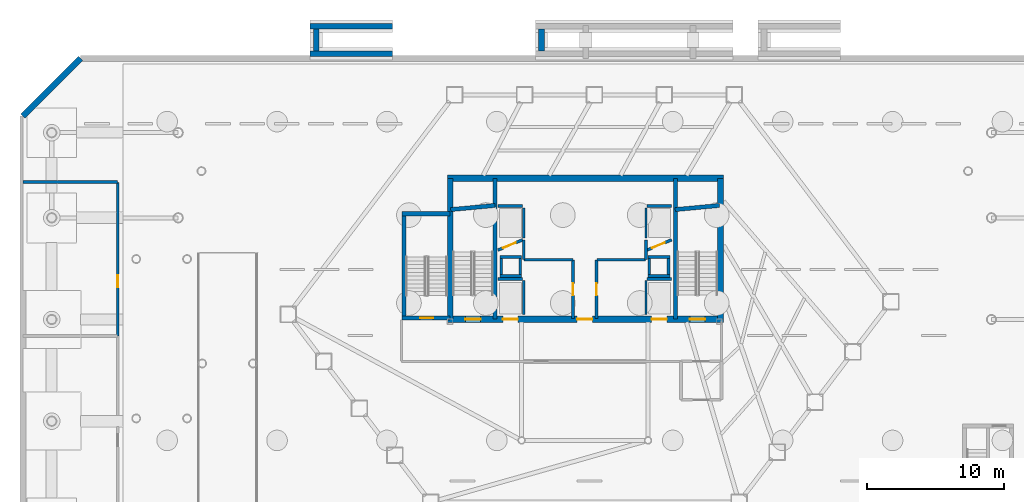
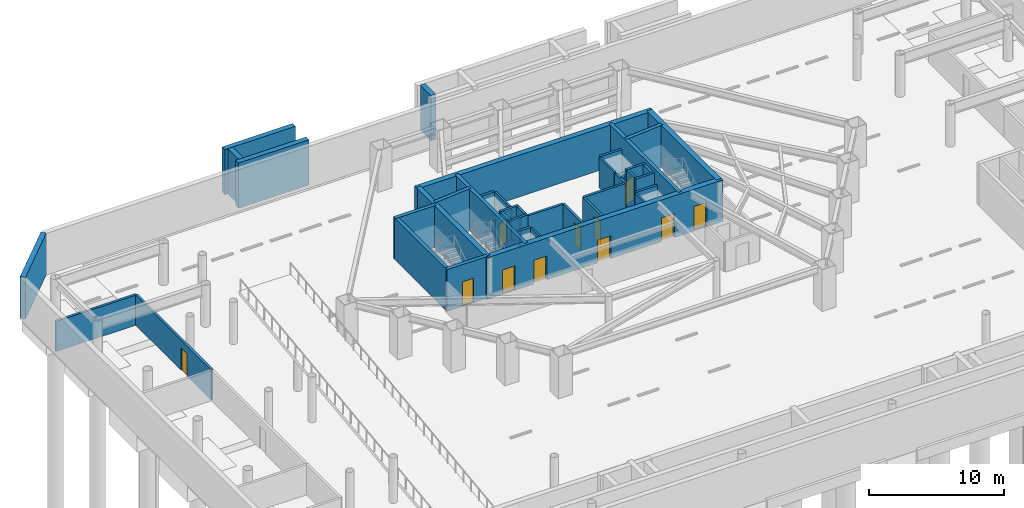
# One storey, part 12 of 19: 42 walls, 11 doors, 11 openings.
"""IFC4 building model written with IfcOpenShell, lengths in metres."""

from ifc_helpers import new_model, si_unit, direction, frame, frame_2d, origin, place, context, subcontext, project, spatial, rectangle, extrude, material, layer, layer_set, type_object, element, fill, save


model = new_model("IFC4")

# Units and contexts
model_context = context("Model", 3, precision=1e-05, world=origin(), true_north=direction((0.0, 1.0)))
body_context = subcontext(model_context, "Body", "Model", "MODEL_VIEW")
ifc_project = project(units=[si_unit("LENGTHUNIT", "METRE"), si_unit("AREAUNIT", "SQUARE_METRE"), si_unit("VOLUMEUNIT", "CUBIC_METRE"), si_unit("PLANEANGLEUNIT", "RADIAN"), si_unit("MASSUNIT", "GRAM", prefix="KILO")], contexts=[model_context])

# Site, building, storey
site_placement = place(None, origin())
site = spatial("IfcSite", under=ifc_project, at=site_placement, CompositionType="ELEMENT")
building_placement = place(site_placement, origin())
building = spatial("IfcBuilding", under=site, at=building_placement, Name="Zarrinselat Tower", CompositionType="ELEMENT")
storey_placement = place(building_placement, frame((0.0, 0.0, -8.159912109375)))
storey = spatial("IfcBuildingStorey", under=building, at=storey_placement, Name="B02", CompositionType="ELEMENT", Elevation=-8.159912109375)

# Wall, opening, door
ifc_material_1 = material(Name="Concrete C40/50", Category="concrete")
ifc_layer_1 = layer(ifc_material_1, 0.199951171875)
ifc_layer_set_1 = layer_set([ifc_layer_1], Name="Concrete C40/50")
wall_type_1 = type_object("IfcWallType", Name="WAL-PART-PLANT", PredefinedType="PARTITIONING", material=ifc_layer_set_1)
wall_1_placement = place(storey_placement, frame((37.550048828125, 33.264892578125, 0.0), z_axis=(0.0, 0.0, 1.0), x_axis=(0.0, 1.0, 0.0)))
wall_1 = element("IfcWall", 1, at=wall_1_placement, inside=storey, type_object=wall_type_1, Name="B02 Partition Wall 1", PredefinedType="PARTITIONING", context=body_context, shape_type="SweptSolid", body=[
    extrude(rectangle(XDim=4.26513671875, YDim=0.199951171875, at=frame_2d((2.132568359375, 0.0))), origin(), (0.0, 0.0, 1.0), 2.716796875),
])
opening_1_placement = place(wall_1_placement, frame((1.6923828125, 0.0, 0.0)))
opening_1 = element("IfcOpeningElement", 2, at=opening_1_placement, cuts=wall_1, Name="Opening ID-03", PredefinedType="OPENING", context=body_context, shape_type="SweptSolid", body=[
    extrude(rectangle(XDim=0.8798828125, YDim=2.050048828125, at=frame_2d((0.43994140625, 1.02490234375))), frame((0.0, 0.10986328125, 0.0), z_axis=(0.0, -1.0, 0.0), x_axis=(1.0, 0.0, 0.0)), (0.0, 0.0, 1.0), 0.219970703125),
])
ifc_material_2 = material(Name="Steel S355J2", Category="steel")
door_type_1 = type_object("IfcDoorType", Name="DR-INT-FD60-S", OperationType="NOTDEFINED", PredefinedType="DOOR", material=ifc_material_2)
door_1_placement = place(opening_1_placement, origin())
door_1 = element("IfcDoor", 3, at=door_1_placement, inside=storey, type_object=door_type_1, Name="B02 Interior Door P1", OperationType="SINGLE_SWING_LEFT", OverallHeight=2.050048828125, OverallWidth=0.8798828125, PredefinedType="DOOR", context=body_context, shape_type="SweptSolid", body=[
    extrude(rectangle(XDim=0.8798828125, YDim=2.050048828125, at=frame_2d((0.43994140625, 1.02490234375))), frame((0.0, 0.02490234375, 0.0), z_axis=(0.0, -1.0, 0.0), x_axis=(1.0, 0.0, 0.0)), (0.0, 0.0, 1.0), 0.050048828125),
])
fill(opening_1, door_1)

# Walls
wall_2_placement = place(storey_placement, frame((33.969970703125, 37.550048828125, 0.0), z_axis=(0.0, 0.0, 1.0), x_axis=(1.0, 0.0, 0.0)))
element("IfcWall", 4, at=wall_2_placement, inside=storey, type_object=wall_type_1, Name="B02 Partition Wall 2", PredefinedType="PARTITIONING", context=body_context, shape_type="SweptSolid", body=[
    extrude(rectangle(XDim=3.56005859375, YDim=0.199951171875, at=frame_2d((1.780029296875, 0.0))), origin(), (0.0, 0.0, 1.0), 2.716796875),
])
for number, where, z_axis, x_axis, name in (
    (5, (33.949951171875, 37.570068359375, 0.0), (0.0, 0.0, 1.0), (0.0, 1.0, 0.0), "B02 Partition Wall 3"),
    (6, (42.85009765625, 37.570068359375, 0.0), (0.0, 0.0, 1.0), (0.0, 1.0, 0.0), "B02 Partition Wall 4"),
):
    element("IfcWall", number, at=place(storey_placement, frame(where, z_axis=z_axis, x_axis=x_axis)), inside=storey, type_object=wall_type_1, Name=name, PredefinedType="PARTITIONING", context=body_context, shape_type="SweptSolid", body=[
        extrude(rectangle(XDim=1.4150390625, YDim=0.199951171875, at=frame_2d((0.70751953125, 0.0))), origin(), (0.0, 0.0, 1.0), 2.716796875),
    ])
wall_3_placement = place(storey_placement, frame((39.27001953125, 37.550048828125, 0.0), z_axis=(0.0, 0.0, 1.0), x_axis=(1.0, 0.0, 0.0)))
element("IfcWall", 7, at=wall_3_placement, inside=storey, type_object=wall_type_1, Name="B02 Partition Wall 5", PredefinedType="PARTITIONING", context=body_context, shape_type="SweptSolid", body=[
    extrude(rectangle(XDim=3.56005859375, YDim=0.199951171875, at=frame_2d((1.780029296875, 0.0))), origin(), (0.0, 0.0, 1.0), 2.716796875),
])

# Wall, opening, door
wall_4_placement = place(storey_placement, frame((39.25, 33.264892578125, 0.0), z_axis=(0.0, 0.0, 1.0), x_axis=(0.0, 1.0, 0.0)))
wall_4 = element("IfcWall", 8, at=wall_4_placement, inside=storey, type_object=wall_type_1, Name="B02 Partition Wall 6", PredefinedType="PARTITIONING", context=body_context, shape_type="SweptSolid", body=[
    extrude(rectangle(XDim=4.26513671875, YDim=0.199951171875, at=frame_2d((2.132568359375, 0.0))), origin(), (0.0, 0.0, 1.0), 2.716796875),
])
opening_2_placement = place(wall_4_placement, frame((1.6923828125, 0.0, 0.0)))
opening_2 = element("IfcOpeningElement", 9, at=opening_2_placement, cuts=wall_4, Name="Opening ID-03", PredefinedType="OPENING", context=body_context, shape_type="SweptSolid", body=[
    extrude(rectangle(XDim=0.8798828125, YDim=2.050048828125, at=frame_2d((0.43994140625, 1.02490234375))), frame((0.0, 0.10986328125, 0.0), z_axis=(0.0, -1.0, 0.0), x_axis=(1.0, 0.0, 0.0)), (0.0, 0.0, 1.0), 0.219970703125),
])
door_2_placement = place(opening_2_placement, origin())
door_2 = element("IfcDoor", 10, at=door_2_placement, inside=storey, type_object=door_type_1, Name="B02 Interior Door P6", OperationType="SINGLE_SWING_RIGHT", OverallHeight=2.050048828125, OverallWidth=0.8798828125, PredefinedType="DOOR", context=body_context, shape_type="SweptSolid", body=[
    extrude(rectangle(XDim=0.8798828125, YDim=2.050048828125, at=frame_2d((0.43994140625, 1.02490234375))), frame((0.0, 0.02490234375, 0.0), z_axis=(0.0, -1.0, 0.0), x_axis=(1.0, 0.0, 0.0)), (0.0, 0.0, 1.0), 0.050048828125),
])
fill(opening_2, door_2)

wall_5_placement = place(storey_placement, frame((4.39990234375, 32.0048828125, 0.0), z_axis=(0.0, 0.0, 1.0), x_axis=(0.0, 1.0, 0.0)))
wall_5 = element("IfcWall", 11, at=wall_5_placement, inside=storey, type_object=wall_type_1, Name="B02 Partition Wall 21", PredefinedType="PARTITIONING", context=body_context, shape_type="SweptSolid", body=[
    extrude(rectangle(XDim=11.175048828125, YDim=0.199951171875, at=frame_2d((5.58740234375, 0.0))), origin(), (0.0, 0.0, 1.0), 2.716796875),
])
opening_3_placement = place(wall_5_placement, frame((3.547607421875, 0.0, 0.0)))
opening_3 = element("IfcOpeningElement", 12, at=opening_3_placement, cuts=wall_5, Name="Opening ID-03", PredefinedType="OPENING", context=body_context, shape_type="SweptSolid", body=[
    extrude(rectangle(XDim=0.8798828125, YDim=2.050048828125, at=frame_2d((0.43994140625, 1.02490234375))), frame((0.0, 0.10986328125, 0.0), z_axis=(0.0, -1.0, 0.0), x_axis=(1.0, 0.0, 0.0)), (0.0, 0.0, 1.0), 0.219970703125),
])
door_3_placement = place(opening_3_placement, origin())
door_3 = element("IfcDoor", 13, at=door_3_placement, inside=storey, type_object=door_type_1, Name="B02 Interior Door P21", OperationType="SINGLE_SWING_RIGHT", OverallHeight=2.050048828125, OverallWidth=0.8798828125, PredefinedType="DOOR", context=body_context, shape_type="SweptSolid", body=[
    extrude(rectangle(XDim=0.8798828125, YDim=2.050048828125, at=frame_2d((0.43994140625, 1.02490234375))), frame((0.0, 0.02490234375, 0.0), z_axis=(0.0, -1.0, 0.0), x_axis=(1.0, 0.0, 0.0)), (0.0, 0.0, 1.0), 0.050048828125),
])
fill(opening_3, door_3)

# Walls
wall_6_placement = place(storey_placement, frame((-2.485107421875, 43.199951171875, 0.0), z_axis=(0.0, 0.0, 1.0), x_axis=(1.0, 0.0, 0.0)))
element("IfcWall", 14, at=wall_6_placement, inside=storey, type_object=wall_type_1, Name="B02 Partition Wall 22", PredefinedType="PARTITIONING", context=body_context, shape_type="SweptSolid", body=[
    extrude(rectangle(XDim=6.864990234375, YDim=0.199951171875, at=frame_2d((3.4326171875, 0.0))), origin(), (0.0, 0.0, 1.0), 2.716796875),
])
ifc_material_3 = material(Name="Concrete C50/60", Category="concrete")
ifc_layer_2 = layer(ifc_material_3, 0.419921875)
ifc_layer_set_2 = layer_set([ifc_layer_2], Name="Concrete C50/60")
wall_type_2 = type_object("IfcWallType", Name="WAL-RET-420", PredefinedType="SOLIDWALL", material=ifc_layer_set_2)
for number, where, z_axis, x_axis, name in (
    (15, (18.39990234375, 52.550048828125, 0.0), (0.0, 0.0, 1.0), (1.0, 0.0, 0.0), "B02 North Plaza NW Bearing Wall 52"),
    (16, (18.39990234375, 54.550048828125, 0.0), (0.0, 0.0, 1.0), (1.0, 0.0, 0.0), "B02 North Plaza NW Bearing Wall 54"),
):
    element("IfcWall", number, at=place(storey_placement, frame(where, z_axis=z_axis, x_axis=x_axis)), inside=storey, type_object=wall_type_2, Name=name, PredefinedType="SOLIDWALL", context=body_context, shape_type="SweptSolid", body=[
        extrude(rectangle(XDim=6.0, YDim=0.419921875, at=frame_2d((3.0, 0.0))), origin(), (0.0, 0.0, 1.0), 4.079833984375),
    ])
for number, where, z_axis, x_axis, name in (
    (17, (18.85009765625, 52.760009765625, 0.0), (0.0, 0.0, 1.0), (0.0, 1.0, 0.0), "B02 North Plaza NW Cross Bearing Wall"),
    (18, (35.25, 52.760009765625, 0.0), (0.0, 0.0, 1.0), (0.0, 1.0, 0.0), "B02 North Plaza NC Cross Bearing Wall"),
):
    element("IfcWall", number, at=place(storey_placement, frame(where, z_axis=z_axis, x_axis=x_axis)), inside=storey, type_object=wall_type_2, Name=name, PredefinedType="SOLIDWALL", context=body_context, shape_type="SweptSolid", body=[
        extrude(rectangle(XDim=1.580078125, YDim=0.419921875, at=frame_2d((0.7900390625, 0.0))), origin(), (0.0, 0.0, 1.0), 4.079833984375),
    ])
wall_7_placement = place(storey_placement, frame((-2.5, 48.0, 0.0), z_axis=(0.0, 0.0, 1.0), x_axis=(0.707106781187, 0.707106781187, 0.0)))
element("IfcWall", 19, at=wall_7_placement, inside=storey, type_object=wall_type_2, Name="B02 Basement Perimeter Retaining Wall 6", PredefinedType="SOLIDWALL", context=body_context, shape_type="SweptSolid", body=[
    extrude(rectangle(XDim=5.939697265625, YDim=0.419921875, at=frame_2d((2.9697265625, 0.0))), origin(), (0.0, 0.0, 1.0), 3.760009765625),
])
ifc_material_4 = material(Name="Concrete C40/50", Category="concrete")
ifc_layer_3 = layer(ifc_material_4, 0.2099609375)
ifc_layer_set_3 = layer_set([ifc_layer_3], Name="Concrete C40/50")
wall_type_3 = type_object("IfcWallType", Name="WAL-SHAFT-210", PredefinedType="SOLIDWALL", material=ifc_layer_set_3)
wall_8_placement = place(storey_placement, frame((32.080078125, 36.155029296875, 0.0), z_axis=(0.0, 0.0, 1.0), x_axis=(1.0, 0.0, 0.0)))
element("IfcWall", 20, at=wall_8_placement, inside=storey, type_object=wall_type_3, Name="B02 Lift FFL1 North Shaft Wall", PredefinedType="SOLIDWALL", context=body_context, shape_type="SweptSolid", body=[
    extrude(rectangle(XDim=1.7998046875, YDim=0.2099609375, at=frame_2d((0.89990234375, 0.0))), origin(), (0.0, 0.0, 1.0), 2.73193359375),
])
wall_9_placement = place(storey_placement, frame((33.949951171875, 33.580078125, 0.0), z_axis=(0.0, 0.0, 1.0), x_axis=(0.0, 1.0, 0.0)))
element("IfcWall", 21, at=wall_9_placement, inside=storey, type_object=wall_type_3, Name="B02 Lift FFL1 E Shaft Wall", PredefinedType="SOLIDWALL", context=body_context, shape_type="SweptSolid", body=[
    extrude(rectangle(XDim=2.449951171875, YDim=0.159912109375, at=frame_2d((1.22509765625, 0.0))), origin(), (0.0, 0.0, 1.0), 2.73193359375),
])
wall_10_placement = place(storey_placement, frame((42.919921875, 36.155029296875, 0.0), z_axis=(0.0, 0.0, 1.0), x_axis=(1.0, 0.0, 0.0)))
element("IfcWall", 22, at=wall_10_placement, inside=storey, type_object=wall_type_3, Name="B02 Lift FFL2 North Shaft Wall", PredefinedType="SOLIDWALL", context=body_context, shape_type="SweptSolid", body=[
    extrude(rectangle(XDim=1.800048828125, YDim=0.2099609375, at=frame_2d((0.89990234375, 0.0))), origin(), (0.0, 0.0, 1.0), 2.73193359375),
])
wall_11_placement = place(storey_placement, frame((42.85009765625, 33.580078125, 0.0), z_axis=(0.0, 0.0, 1.0), x_axis=(0.0, 1.0, 0.0)))
element("IfcWall", 23, at=wall_11_placement, inside=storey, type_object=wall_type_3, Name="B02 Lift FFL2 W Shaft Wall", PredefinedType="SOLIDWALL", context=body_context, shape_type="SweptSolid", body=[
    extrude(rectangle(XDim=2.449951171875, YDim=0.159912109375, at=frame_2d((1.22509765625, 0.0))), origin(), (0.0, 0.0, 1.0), 2.73193359375),
])

# Wall, opening, door
wall_12_placement = place(storey_placement, frame((32.080078125, 38.25, 0.0), z_axis=(0.0, 0.0, 1.0), x_axis=(0.923062104416, 0.384650947472, 0.0)))
wall_12 = element("IfcWall", 24, at=wall_12_placement, inside=storey, type_object=wall_type_3, Name="B02 Lift BSL1 Front Shaft Wall", PredefinedType="SOLIDWALL", context=body_context, shape_type="SweptSolid", body=[
    extrude(rectangle(XDim=1.94970703125, YDim=0.2099609375, at=frame_2d((0.974853515625, 0.0))), origin(), (0.0, 0.0, 1.0), 2.73193359375),
])
opening_4_placement = place(wall_12_placement, frame((0.39990234375, 0.0, 0.0)))
opening_4 = element("IfcOpeningElement", 25, at=opening_4_placement, cuts=wall_12, Name="Opening LD-BSL1", PredefinedType="OPENING", context=body_context, shape_type="SweptSolid", body=[
    extrude(rectangle(XDim=1.0, YDim=2.10009765625, at=frame_2d((0.5, 1.050048828125))), frame((0.0, 0.114990234375, 0.0), z_axis=(0.0, -1.0, 0.0), x_axis=(1.0, 0.0, 0.0)), (0.0, 0.0, 1.0), 0.22998046875),
])
ifc_material_5 = material(Name="Steel S355J2", Category="steel")
door_type_2 = type_object("IfcDoorType", Name="DR-LIFT-PS-1000", OperationType="NOTDEFINED", PredefinedType="DOOR", material=ifc_material_5)
door_4_placement = place(opening_4_placement, origin())
door_4 = element("IfcDoor", 26, at=door_4_placement, inside=storey, type_object=door_type_2, Name="B02 Lift BSL1 Sliding Landing Door", OperationType="SLIDING_TO_LEFT", OverallHeight=2.10009765625, OverallWidth=1.0, PredefinedType="DOOR", context=body_context, shape_type="SweptSolid", body=[
    extrude(rectangle(XDim=1.0, YDim=2.10009765625, at=frame_2d((0.5, 1.050048828125))), frame((0.0, 0.02490234375, 0.0), z_axis=(0.0, -1.0, 0.0), x_axis=(1.0, 0.0, 0.0)), (0.0, 0.0, 1.0), 0.050048828125),
])
fill(opening_4, door_4)

# Walls
wall_13_placement = place(storey_placement, frame((32.080078125, 41.455078125, 0.0), z_axis=(0.0, 0.0, 1.0), x_axis=(1.0, 0.0, 0.0)))
element("IfcWall", 27, at=wall_13_placement, inside=storey, type_object=wall_type_3, Name="B02 Lift BSL1 Rear Shaft Wall", PredefinedType="SOLIDWALL", context=body_context, shape_type="SweptSolid", body=[
    extrude(rectangle(XDim=1.7998046875, YDim=0.2099609375, at=frame_2d((0.89990234375, 0.0))), origin(), (0.0, 0.0, 1.0), 2.73193359375),
])
wall_14_placement = place(storey_placement, frame((33.949951171875, 39.1201171875, 0.0), z_axis=(0.0, 0.0, 1.0), x_axis=(0.0, 1.0, 0.0)))
element("IfcWall", 28, at=wall_14_placement, inside=storey, type_object=wall_type_3, Name="B02 Lift BSL1 E Shaft Wall", PredefinedType="SOLIDWALL", context=body_context, shape_type="SweptSolid", body=[
    extrude(rectangle(XDim=2.2099609375, YDim=0.159912109375, at=frame_2d((1.10498046875, 0.0))), origin(), (0.0, 0.0, 1.0), 2.73193359375),
])

# Wall, opening, door
wall_15_placement = place(storey_placement, frame((42.919921875, 38.25, 0.0), z_axis=(0.0, 0.0, 1.0), x_axis=(0.9230806271, 0.384606494839, 0.0)))
wall_15 = element("IfcWall", 29, at=wall_15_placement, inside=storey, type_object=wall_type_3, Name="B02 Lift BSL2 Front Shaft Wall", PredefinedType="SOLIDWALL", context=body_context, shape_type="SweptSolid", body=[
    extrude(rectangle(XDim=1.949951171875, YDim=0.2099609375, at=frame_2d((0.97509765625, 0.0))), origin(), (0.0, 0.0, 1.0), 2.73193359375),
])
opening_5_placement = place(wall_15_placement, frame((0.39990234375, 0.0, 0.0)))
opening_5 = element("IfcOpeningElement", 30, at=opening_5_placement, cuts=wall_15, Name="Opening LD-BSL2", PredefinedType="OPENING", context=body_context, shape_type="SweptSolid", body=[
    extrude(rectangle(XDim=1.0, YDim=2.10009765625, at=frame_2d((0.5, 1.050048828125))), frame((0.0, 0.114990234375, 0.0), z_axis=(0.0, -1.0, 0.0), x_axis=(1.0, 0.0, 0.0)), (0.0, 0.0, 1.0), 0.22998046875),
])
door_5_placement = place(opening_5_placement, origin())
door_5 = element("IfcDoor", 31, at=door_5_placement, inside=storey, type_object=door_type_2, Name="B02 Lift BSL2 Sliding Landing Door", OperationType="SLIDING_TO_RIGHT", OverallHeight=2.10009765625, OverallWidth=1.0, PredefinedType="DOOR", context=body_context, shape_type="SweptSolid", body=[
    extrude(rectangle(XDim=1.0, YDim=2.10009765625, at=frame_2d((0.5, 1.050048828125))), frame((0.0, 0.02490234375, 0.0), z_axis=(0.0, -1.0, 0.0), x_axis=(1.0, 0.0, 0.0)), (0.0, 0.0, 1.0), 0.050048828125),
])
fill(opening_5, door_5)

# Walls
wall_16_placement = place(storey_placement, frame((42.919921875, 41.455078125, 0.0), z_axis=(0.0, 0.0, 1.0), x_axis=(1.0, 0.0, 0.0)))
element("IfcWall", 32, at=wall_16_placement, inside=storey, type_object=wall_type_3, Name="B02 Lift BSL2 Rear Shaft Wall", PredefinedType="SOLIDWALL", context=body_context, shape_type="SweptSolid", body=[
    extrude(rectangle(XDim=1.800048828125, YDim=0.2099609375, at=frame_2d((0.89990234375, 0.0))), origin(), (0.0, 0.0, 1.0), 2.73193359375),
])
wall_17_placement = place(storey_placement, frame((42.85009765625, 39.1201171875, 0.0), z_axis=(0.0, 0.0, 1.0), x_axis=(0.0, 1.0, 0.0)))
element("IfcWall", 33, at=wall_17_placement, inside=storey, type_object=wall_type_3, Name="B02 Lift BSL2 W Shaft Wall", PredefinedType="SOLIDWALL", context=body_context, shape_type="SweptSolid", body=[
    extrude(rectangle(XDim=2.2099609375, YDim=0.159912109375, at=frame_2d((1.10498046875, 0.0))), origin(), (0.0, 0.0, 1.0), 2.73193359375),
])
for number, where, z_axis, x_axis, name in (
    (34, (32.2099609375, 36.375, 0.0), (0.0, 0.0, 1.0), (1.0, 0.0, 0.0), "B02 Core Riser RSR-W S Shaft Wall"),
    (35, (32.2099609375, 37.7451171875, 0.0), (0.0, 0.0, 1.0), (1.0, 0.0, 0.0), "B02 Core Riser RSR-W N Shaft Wall"),
):
    element("IfcWall", number, at=place(storey_placement, frame(where, z_axis=z_axis, x_axis=x_axis)), inside=storey, type_object=wall_type_3, Name=name, PredefinedType="SOLIDWALL", context=body_context, shape_type="SweptSolid", body=[
        extrude(rectangle(XDim=1.60009765625, YDim=0.2099609375, at=frame_2d((0.800048828125, 0.0))), origin(), (0.0, 0.0, 1.0), 3.760009765625),
    ])
for number, where, z_axis, x_axis, name in (
    (36, (32.31494140625, 36.485107421875, 0.0), (0.0, 0.0, 1.0), (0.0, 1.0, 0.0), "B02 Core Riser RSR-W W Shaft Wall"),
    (37, (33.705078125, 36.485107421875, 0.0), (0.0, 0.0, 1.0), (0.0, 1.0, 0.0), "B02 Core Riser RSR-W E Shaft Wall"),
):
    element("IfcWall", number, at=place(storey_placement, frame(where, z_axis=z_axis, x_axis=x_axis)), inside=storey, type_object=wall_type_3, Name=name, PredefinedType="SOLIDWALL", context=body_context, shape_type="SweptSolid", body=[
        extrude(rectangle(XDim=1.14990234375, YDim=0.2099609375, at=frame_2d((0.574951171875, 0.0))), origin(), (0.0, 0.0, 1.0), 3.760009765625),
    ])
for number, where, z_axis, x_axis, name in (
    (38, (42.989990234375, 36.375, 0.0), (0.0, 0.0, 1.0), (1.0, 0.0, 0.0), "B02 Core Riser RSR-E S Shaft Wall"),
    (39, (42.989990234375, 37.7451171875, 0.0), (0.0, 0.0, 1.0), (1.0, 0.0, 0.0), "B02 Core Riser RSR-E N Shaft Wall"),
):
    element("IfcWall", number, at=place(storey_placement, frame(where, z_axis=z_axis, x_axis=x_axis)), inside=storey, type_object=wall_type_3, Name=name, PredefinedType="SOLIDWALL", context=body_context, shape_type="SweptSolid", body=[
        extrude(rectangle(XDim=1.60009765625, YDim=0.2099609375, at=frame_2d((0.800048828125, 0.0))), origin(), (0.0, 0.0, 1.0), 3.760009765625),
    ])
for number, where, z_axis, x_axis, name in (
    (40, (43.094970703125, 36.485107421875, 0.0), (0.0, 0.0, 1.0), (0.0, 1.0, 0.0), "B02 Core Riser RSR-E W Shaft Wall"),
    (41, (44.485107421875, 36.485107421875, 0.0), (0.0, 0.0, 1.0), (0.0, 1.0, 0.0), "B02 Core Riser RSR-E E Shaft Wall"),
):
    element("IfcWall", number, at=place(storey_placement, frame(where, z_axis=z_axis, x_axis=x_axis)), inside=storey, type_object=wall_type_3, Name=name, PredefinedType="SOLIDWALL", context=body_context, shape_type="SweptSolid", body=[
        extrude(rectangle(XDim=1.14990234375, YDim=0.2099609375, at=frame_2d((0.574951171875, 0.0))), origin(), (0.0, 0.0, 1.0), 3.760009765625),
    ])
ifc_material_6 = material(Name="Concrete C40/50", Category="concrete")
ifc_layer_4 = layer(ifc_material_6, 0.300048828125)
ifc_layer_set_4 = layer_set([ifc_layer_4], Name="Concrete C40/50")
wall_type_4 = type_object("IfcWallType", Name="WAL-SHEAR-300", PredefinedType="SHEAR", material=ifc_layer_set_4)
for number, where, z_axis, x_axis, name in (
    (42, (31.8701171875, 33.22509765625, 0.0), (0.0, 0.0, 1.0), (0.0, 1.0, 0.0), "B02 Core Shear Wall ST1E"),
    (43, (44.989990234375, 33.22509765625, 0.0), (0.0, 0.0, 1.0), (0.0, 1.0, 0.0), "B02 Core Shear Wall ST2W"),
):
    element("IfcWall", number, at=place(storey_placement, frame(where, z_axis=z_axis, x_axis=x_axis)), inside=storey, type_object=wall_type_4, Name=name, PredefinedType="SHEAR", context=body_context, shape_type="SweptSolid", body=[
        extrude(rectangle(XDim=10.25, YDim=0.300048828125, at=frame_2d((5.125, 0.0))), origin(), (0.0, 0.0, 1.0), 3.760009765625),
    ])
wall_18_placement = place(storey_placement, frame((28.639892578125, 41.199951171875, 0.0), z_axis=(0.0, 0.0, 1.0), x_axis=(0.995687118776, 0.092774789157, 0.0)))
element("IfcWall", 44, at=wall_18_placement, inside=storey, type_object=wall_type_4, Name="B02 Stair 1 North Shaft Wall", PredefinedType="SHEAR", context=body_context, shape_type="SweptSolid", body=[
    extrude(rectangle(XDim=3.234130859375, YDim=0.300048828125, at=frame_2d((1.6171875, 0.0))), origin(), (0.0, 0.0, 1.0), 3.760009765625),
])
wall_19_placement = place(storey_placement, frame((44.97998046875, 41.199951171875, 0.0), z_axis=(0.0, 0.0, 1.0), x_axis=(0.995686468965, 0.09278176286, 0.0)))
element("IfcWall", 45, at=wall_19_placement, inside=storey, type_object=wall_type_4, Name="B02 Stair 2 North Shaft Wall", PredefinedType="SHEAR", context=body_context, shape_type="SweptSolid", body=[
    extrude(rectangle(XDim=3.23388671875, YDim=0.300048828125, at=frame_2d((1.616943359375, 0.0))), origin(), (0.0, 0.0, 1.0), 3.760009765625),
])
wall_20_placement = place(storey_placement, frame((25.080078125, 40.89990234375, 0.0), z_axis=(0.0, 0.0, 1.0), x_axis=(1.0, 0.0, 0.0)))
element("IfcWall", 46, at=wall_20_placement, inside=storey, type_object=wall_type_4, Name="B02 Stair 3 North Shear Wall", PredefinedType="SHEAR", context=body_context, shape_type="SweptSolid", body=[
    extrude(rectangle(XDim=3.52001953125, YDim=0.300048828125, at=frame_2d((1.760009765625, 0.0))), origin(), (0.0, 0.0, 1.0), 3.760009765625),
])

# Wall, opening, door
wall_21_placement = place(storey_placement, frame((25.080078125, 33.300048828125, 0.0), z_axis=(0.0, 0.0, 1.0), x_axis=(1.0, 0.0, 0.0)))
wall_21 = element("IfcWall", 47, at=wall_21_placement, inside=storey, type_object=wall_type_4, Name="B02 Stair 3 South Shear Wall", PredefinedType="SHEAR", context=body_context, shape_type="SweptSolid", body=[
    extrude(rectangle(XDim=3.52001953125, YDim=0.300048828125, at=frame_2d((1.760009765625, 0.0))), origin(), (0.0, 0.0, 1.0), 3.760009765625),
])
opening_6_placement = place(wall_21_placement, frame((1.3349609375, 0.0, 0.0)))
opening_6 = element("IfcOpeningElement", 48, at=opening_6_placement, cuts=wall_21, Name="Opening SD-02", PredefinedType="OPENING", context=body_context, shape_type="SweptSolid", body=[
    extrude(rectangle(XDim=0.949951171875, YDim=2.199951171875, at=frame_2d((0.47509765625, 1.10009765625))), frame((0.0, 0.159912109375, 0.0), z_axis=(0.0, -1.0, 0.0), x_axis=(1.0, 0.0, 0.0)), (0.0, 0.0, 1.0), 0.320068359375),
])
ifc_material_7 = material(Name="Steel S355J2", Category="steel")
door_type_3 = type_object("IfcDoorType", Name="DR-STAIR-1050", OperationType="NOTDEFINED", PredefinedType="DOOR", material=ifc_material_7)
door_6_placement = place(opening_6_placement, origin())
door_6 = element("IfcDoor", 49, at=door_6_placement, inside=storey, type_object=door_type_3, Name="B02 Exit Stair 3 Fire Door", OperationType="SINGLE_SWING_LEFT", OverallHeight=2.199951171875, OverallWidth=0.949951171875, PredefinedType="DOOR", context=body_context, shape_type="SweptSolid", body=[
    extrude(rectangle(XDim=0.949951171875, YDim=2.199951171875, at=frame_2d((0.47509765625, 1.10009765625))), frame((0.0, 0.02490234375, 0.0), z_axis=(0.0, -1.0, 0.0), x_axis=(1.0, 0.0, 0.0)), (0.0, 0.0, 1.0), 0.050048828125),
])
fill(opening_6, door_6)

# Walls
wall_22_placement = place(storey_placement, frame((25.22998046875, 33.300048828125, 0.0), z_axis=(0.0, 0.0, 1.0), x_axis=(0.0, 1.0, 0.0)))
element("IfcWall", 50, at=wall_22_placement, inside=storey, type_object=wall_type_4, Name="B02 Stair 3 West Shear Wall", PredefinedType="SHEAR", context=body_context, shape_type="SweptSolid", body=[
    extrude(rectangle(XDim=7.599853515625, YDim=0.300048828125, at=frame_2d((3.7998046875, 0.0))), origin(), (0.0, 0.0, 1.0), 3.760009765625),
])
ifc_material_8 = material(Name="Concrete C60/75", Category="concrete")
ifc_layer_5 = layer(ifc_material_8, 0.39990234375)
ifc_layer_set_5 = layer_set([ifc_layer_5], Name="Concrete C60/75")
wall_type_5 = type_object("IfcWallType", Name="WAL-SHEAR-400", PredefinedType="SHEAR", material=ifc_layer_set_5)
wall_23_placement = place(storey_placement, frame((28.60009765625, 33.22509765625, 0.0), z_axis=(0.0, 0.0, 1.0), x_axis=(0.0, 1.0, 0.0)))
element("IfcWall", 51, at=wall_23_placement, inside=storey, type_object=wall_type_5, Name="B02 Core Shear Wall W", PredefinedType="SHEAR", context=body_context, shape_type="SweptSolid", body=[
    extrude(rectangle(XDim=10.25, YDim=0.39990234375, at=frame_2d((5.125, 0.0))), origin(), (0.0, 0.0, 1.0), 3.760009765625),
])
ifc_material_9 = material(Name="Concrete C60/75", Category="concrete")
ifc_layer_6 = layer(ifc_material_9, 0.449951171875)
ifc_layer_set_6 = layer_set([ifc_layer_6], Name="Concrete C60/75")
wall_type_6 = type_object("IfcWallType", Name="WAL-SHEAR-450", PredefinedType="SHEAR", material=ifc_layer_set_6)
wall_24_placement = place(storey_placement, frame((28.39990234375, 43.47509765625, 0.0), z_axis=(0.0, 0.0, 1.0), x_axis=(1.0, 0.0, 0.0)))
element("IfcWall", 52, at=wall_24_placement, inside=storey, type_object=wall_type_6, Name="B02 North Core Shear Wall", PredefinedType="SHEAR", context=body_context, shape_type="SweptSolid", body=[
    extrude(rectangle(XDim=20.110107421875, YDim=0.449951171875, at=frame_2d((10.05517578125, 0.0))), origin(), (0.0, 0.0, 1.0), 3.760009765625),
])

# Wall, openings, doors
wall_25_placement = place(storey_placement, frame((28.39990234375, 33.22509765625, 0.0), z_axis=(0.0, 0.0, 1.0), x_axis=(1.0, 0.0, 0.0)))
wall_25 = element("IfcWall", 53, at=wall_25_placement, inside=storey, type_object=wall_type_6, Name="B02 South Core Shear Wall", PredefinedType="SHEAR", context=body_context, shape_type="SweptSolid", body=[
    extrude(rectangle(XDim=20.110107421875, YDim=0.449951171875, at=frame_2d((10.05517578125, 0.0))), origin(), (0.0, 0.0, 1.0), 3.760009765625),
])
opening_7_placement = place(wall_25_placement, frame((4.030029296875, 0.0, 0.0)))
opening_7 = element("IfcOpeningElement", 54, at=opening_7_placement, cuts=wall_25, Name="Opening LD-FFL1", PredefinedType="OPENING", context=body_context, shape_type="SweptSolid", body=[
    extrude(rectangle(XDim=1.10009765625, YDim=2.14990234375, at=frame_2d((0.550048828125, 1.074951171875))), frame((0.0, 0.23486328125, 0.0), z_axis=(0.0, -1.0, 0.0), x_axis=(1.0, 0.0, 0.0)), (0.0, 0.0, 1.0), 0.469970703125),
])
opening_8_placement = place(wall_25_placement, frame((14.8701171875, 0.0, 0.0)))
opening_8 = element("IfcOpeningElement", 55, at=opening_8_placement, cuts=wall_25, Name="Opening LD-FFL2", PredefinedType="OPENING", context=body_context, shape_type="SweptSolid", body=[
    extrude(rectangle(XDim=1.10009765625, YDim=2.14990234375, at=frame_2d((0.550048828125, 1.074951171875))), frame((0.0, 0.23486328125, 0.0), z_axis=(0.0, -1.0, 0.0), x_axis=(1.0, 0.0, 0.0)), (0.0, 0.0, 1.0), 0.469970703125),
])
opening_9_placement = place(wall_25_placement, frame((1.31005859375, 0.0, 0.0)))
opening_9 = element("IfcOpeningElement", 56, at=opening_9_placement, cuts=wall_25, Name="Opening SD-01", PredefinedType="OPENING", context=body_context, shape_type="SweptSolid", body=[
    extrude(rectangle(XDim=1.10009765625, YDim=2.199951171875, at=frame_2d((0.550048828125, 1.10009765625))), frame((0.0, 0.23486328125, 0.0), z_axis=(0.0, -1.0, 0.0), x_axis=(1.0, 0.0, 0.0)), (0.0, 0.0, 1.0), 0.469970703125),
])
opening_10_placement = place(wall_25_placement, frame((9.43994140625, 0.0, 0.0)))
opening_10 = element("IfcOpeningElement", 57, at=opening_10_placement, cuts=wall_25, Name="Opening ID-02", PredefinedType="OPENING", context=body_context, shape_type="SweptSolid", body=[
    extrude(rectangle(XDim=1.1201171875, YDim=2.050048828125, at=frame_2d((0.56005859375, 1.02490234375))), frame((0.0, 0.23486328125, 0.0), z_axis=(0.0, -1.0, 0.0), x_axis=(1.0, 0.0, 0.0)), (0.0, 0.0, 1.0), 0.469970703125),
])
opening_11_placement = place(wall_25_placement, frame((17.64990234375, 0.0, 0.0)))
opening_11 = element("IfcOpeningElement", 58, at=opening_11_placement, cuts=wall_25, Name="Opening SD-01", PredefinedType="OPENING", context=body_context, shape_type="SweptSolid", body=[
    extrude(rectangle(XDim=1.10009765625, YDim=2.199951171875, at=frame_2d((0.550048828125, 1.10009765625))), frame((0.0, 0.23486328125, 0.0), z_axis=(0.0, -1.0, 0.0), x_axis=(1.0, 0.0, 0.0)), (0.0, 0.0, 1.0), 0.469970703125),
])
ifc_material_10 = material(Name="Steel S355J2", Category="steel")
door_type_4 = type_object("IfcDoorType", Name="DR-INT-FD60-W", OperationType="NOTDEFINED", PredefinedType="DOOR", material=ifc_material_10)
door_7_placement = place(opening_10_placement, origin())
door_7 = element("IfcDoor", 59, at=door_7_placement, inside=storey, type_object=door_type_4, Name="B02 Core Service Vestibule Fire Door", OperationType="SINGLE_SWING_RIGHT", OverallHeight=2.050048828125, OverallWidth=1.1201171875, PredefinedType="DOOR", context=body_context, shape_type="SweptSolid", body=[
    extrude(rectangle(XDim=1.1201171875, YDim=2.050048828125, at=frame_2d((0.56005859375, 1.02490234375))), frame((0.0, 0.02490234375, 0.0), z_axis=(0.0, -1.0, 0.0), x_axis=(1.0, 0.0, 0.0)), (0.0, 0.0, 1.0), 0.050048828125),
])
fill(opening_10, door_7)
ifc_material_11 = material(Name="Steel S355J2", Category="steel")
door_type_5 = type_object("IfcDoorType", Name="DR-LIFT-FF-1100", OperationType="NOTDEFINED", PredefinedType="DOOR", material=ifc_material_11)
door_8_placement = place(opening_7_placement, origin())
door_8 = element("IfcDoor", 60, at=door_8_placement, inside=storey, type_object=door_type_5, Name="B02 Lift FFL1 Sliding Landing Door", OperationType="SLIDING_TO_LEFT", OverallHeight=2.14990234375, OverallWidth=1.10009765625, PredefinedType="DOOR", context=body_context, shape_type="SweptSolid", body=[
    extrude(rectangle(XDim=1.10009765625, YDim=2.14990234375, at=frame_2d((0.550048828125, 1.074951171875))), frame((0.0, 0.02490234375, 0.0), z_axis=(0.0, -1.0, 0.0), x_axis=(1.0, 0.0, 0.0)), (0.0, 0.0, 1.0), 0.050048828125),
])
fill(opening_7, door_8)
door_9_placement = place(opening_8_placement, origin())
door_9 = element("IfcDoor", 61, at=door_9_placement, inside=storey, type_object=door_type_5, Name="B02 Lift FFL2 Sliding Landing Door", OperationType="SLIDING_TO_RIGHT", OverallHeight=2.14990234375, OverallWidth=1.10009765625, PredefinedType="DOOR", context=body_context, shape_type="SweptSolid", body=[
    extrude(rectangle(XDim=1.10009765625, YDim=2.14990234375, at=frame_2d((0.550048828125, 1.074951171875))), frame((0.0, 0.02490234375, 0.0), z_axis=(0.0, -1.0, 0.0), x_axis=(1.0, 0.0, 0.0)), (0.0, 0.0, 1.0), 0.050048828125),
])
fill(opening_8, door_9)
ifc_material_12 = material(Name="Steel S355J2", Category="steel")
door_type_6 = type_object("IfcDoorType", Name="DR-STAIR-1100", OperationType="NOTDEFINED", PredefinedType="DOOR", material=ifc_material_12)
door_10_placement = place(opening_9_placement, origin())
door_10 = element("IfcDoor", 62, at=door_10_placement, inside=storey, type_object=door_type_6, Name="B02 Exit Stair 1 Fire Door", OperationType="SINGLE_SWING_LEFT", OverallHeight=2.199951171875, OverallWidth=1.10009765625, PredefinedType="DOOR", context=body_context, shape_type="SweptSolid", body=[
    extrude(rectangle(XDim=1.10009765625, YDim=2.199951171875, at=frame_2d((0.550048828125, 1.10009765625))), frame((0.0, 0.02490234375, 0.0), z_axis=(0.0, -1.0, 0.0), x_axis=(1.0, 0.0, 0.0)), (0.0, 0.0, 1.0), 0.050048828125),
])
fill(opening_9, door_10)
door_11_placement = place(opening_11_placement, origin())
door_11 = element("IfcDoor", 63, at=door_11_placement, inside=storey, type_object=door_type_6, Name="B02 Exit Stair 2 Fire Door", OperationType="SINGLE_SWING_RIGHT", OverallHeight=2.199951171875, OverallWidth=1.10009765625, PredefinedType="DOOR", context=body_context, shape_type="SweptSolid", body=[
    extrude(rectangle(XDim=1.10009765625, YDim=2.199951171875, at=frame_2d((0.550048828125, 1.10009765625))), frame((0.0, 0.02490234375, 0.0), z_axis=(0.0, -1.0, 0.0), x_axis=(1.0, 0.0, 0.0)), (0.0, 0.0, 1.0), 0.050048828125),
])
fill(opening_11, door_11)

# Wall
wall_26_placement = place(storey_placement, frame((48.284912109375, 33.22509765625, 0.0), z_axis=(0.0, 0.0, 1.0), x_axis=(0.0, 1.0, 0.0)))
element("IfcWall", 64, at=wall_26_placement, inside=storey, type_object=wall_type_6, Name="B02 Core Shear Wall E", PredefinedType="SHEAR", context=body_context, shape_type="SweptSolid", body=[
    extrude(rectangle(XDim=10.25, YDim=0.449951171875, at=frame_2d((5.125, 0.0))), origin(), (0.0, 0.0, 1.0), 3.760009765625),
])

save(model, "model.ifc")
